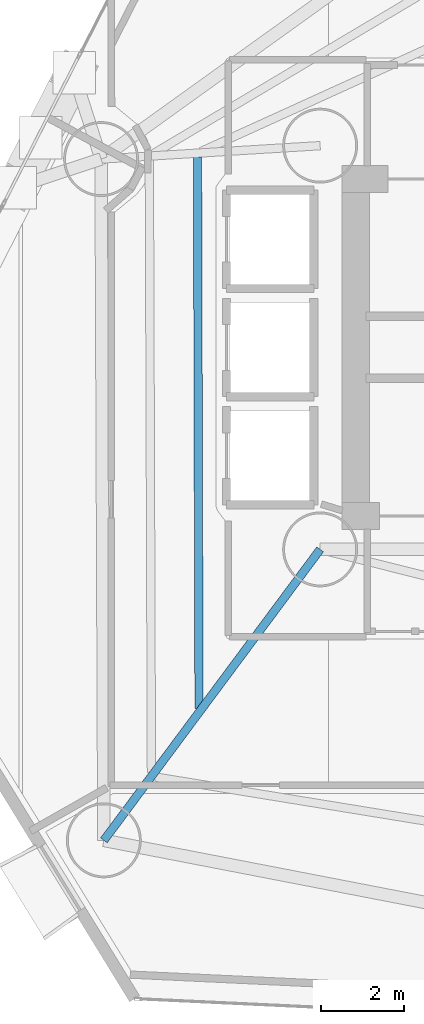
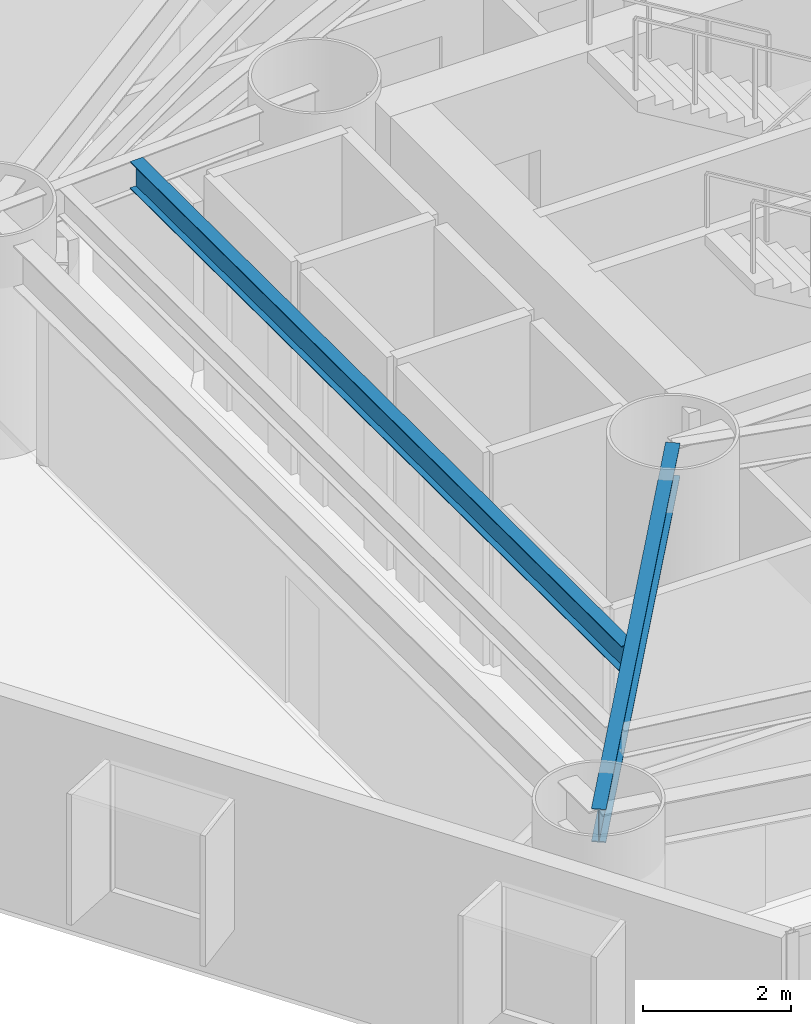
# One storey, part 4 of 23: 2 beams.
"""IFC4 building model written with IfcOpenShell, lengths in metres."""

from ifc_helpers import new_model, si_unit, direction, frame, origin, origin_2d, place, context, subcontext, project, spatial, i_section, extrude, material, material_profile, profile_set, type_object, element, save


model = new_model("IFC4")

# Units and contexts
model_context = context("Model", 3, precision=1e-05, world=origin(), true_north=direction((0.0, 1.0)))
body_context = subcontext(model_context, "Body", "Model", "MODEL_VIEW")
ifc_project = project(units=[si_unit("LENGTHUNIT", "METRE"), si_unit("AREAUNIT", "SQUARE_METRE"), si_unit("VOLUMEUNIT", "CUBIC_METRE"), si_unit("PLANEANGLEUNIT", "RADIAN"), si_unit("MASSUNIT", "GRAM", prefix="KILO")], contexts=[model_context])

# Site, building, storey
site_placement = place(None, origin())
site = spatial("IfcSite", under=ifc_project, at=site_placement, CompositionType="ELEMENT")
building_placement = place(site_placement, origin())
building = spatial("IfcBuilding", under=site, at=building_placement, Name="Qianvela Tower", CompositionType="ELEMENT")
storey_placement = place(building_placement, frame((0.0, 0.0, 33.10009765625)))
storey = spatial("IfcBuildingStorey", under=building, at=storey_placement, Name="L07", CompositionType="ELEMENT", Elevation=33.10009765625)

# Beams
ifc_material_1 = material(Name="Steel Q355B", Category="steel")
ifc_material_profile_1 = material_profile(ifc_material_1, i_section(OverallWidth=0.199951171875, OverallDepth=0.449951171875, WebThickness=0.009033203125, FlangeThickness=0.013916015625, at=origin_2d()), Name="HN450x200x9x14")
ifc_profile_set_1 = profile_set([ifc_material_profile_1], Name="Steel Q355B")
beam_type_1 = type_object("IfcBeamType", Name="BM-HN450-JOIST", PredefinedType="JOIST", material=ifc_profile_set_1)
beam_1_placement = place(storey_placement, frame((25.653564453125, 33.273681640625, 3.29296875), z_axis=(0.002747039783, -0.999996226879, 0.0), x_axis=(0.999996226879, 0.002747039783, 0.0)))
element("IfcBeam", 1, at=beam_1_placement, inside=storey, type_object=beam_type_1, Name="L07 Secondary Composite Floor Joist 4.2", PredefinedType="JOIST", context=body_context, shape_type="SweptSolid", body=[
    extrude(i_section(OverallWidth=0.199951171875, OverallDepth=0.449951171875, WebThickness=0.009033203125, FlangeThickness=0.013916015625, at=origin_2d()), origin(), (0.0, 0.0, 1.0), 13.2421875),
])
ifc_material_2 = material(Name="Steel Q355B", Category="steel")
ifc_material_profile_2 = material_profile(ifc_material_2, i_section(OverallWidth=0.199951171875, OverallDepth=0.550048828125, WebThickness=0.010009765625, FlangeThickness=0.01611328125, at=origin_2d()), Name="HN550x200x10x16")
ifc_profile_set_2 = profile_set([ifc_material_profile_2], Name="Steel Q355B")
beam_type_2 = type_object("IfcBeamType", Name="BM-HN550-GIRD", PredefinedType="BEAM", material=ifc_profile_set_2)
beam_2_placement = place(storey_placement, frame((28.60009765625, 23.85009765625, 3.242919921875), z_axis=(-0.596581498031, -0.802552500593, 0.0), x_axis=(0.802552500593, -0.596581498031, 0.0)))
element("IfcBeam", 2, at=beam_2_placement, inside=storey, type_object=beam_type_2, Name="L07 Radial Primary Floor Girder 5", PredefinedType="BEAM", context=body_context, shape_type="SweptSolid", body=[
    extrude(i_section(OverallWidth=0.199951171875, OverallDepth=0.550048828125, WebThickness=0.010009765625, FlangeThickness=0.01611328125, at=origin_2d()), origin(), (0.0, 0.0, 1.0), 8.709716796875),
])

save(model, "model.ifc")
